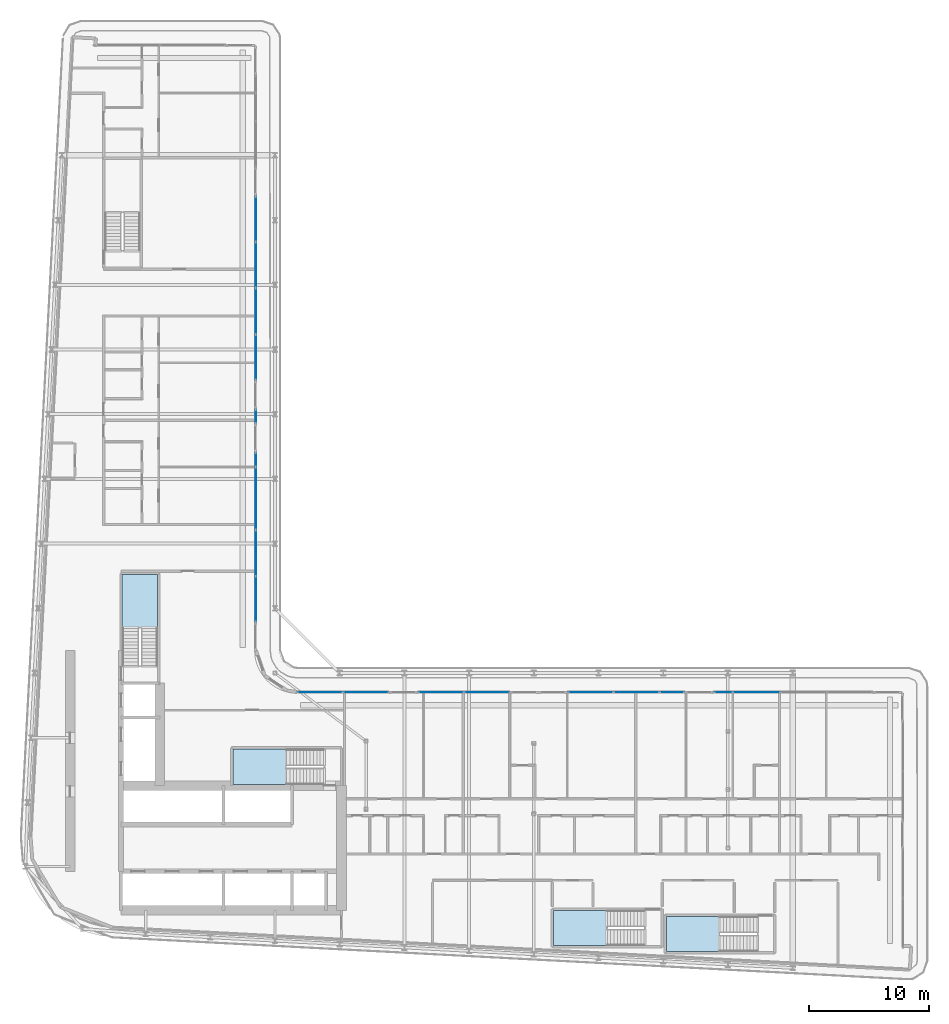
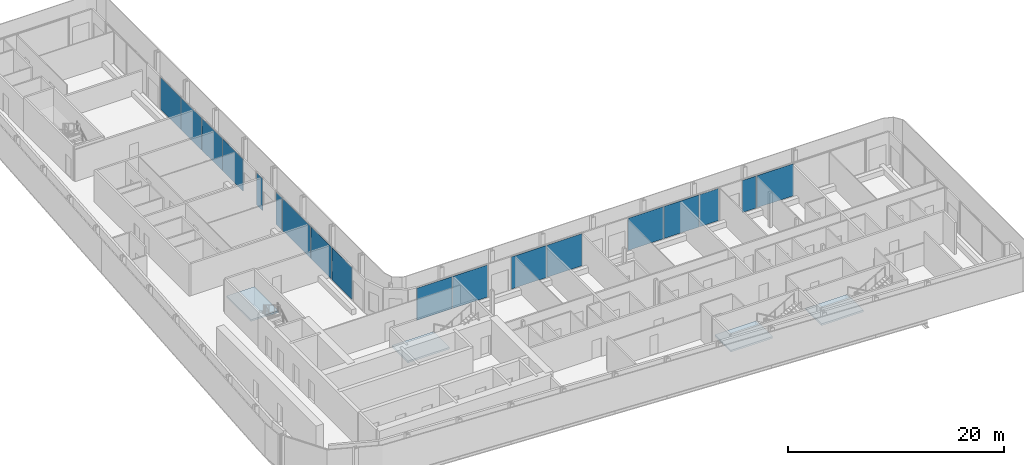
# One storey, part 12 of 29: 18 plates, 4 slabs, 14 elements without a shape of their own.
"""IFC4 building model written with IfcOpenShell, lengths in metres."""

from ifc_helpers import new_model, si_unit, direction, frame, origin, origin_2d, place, context, subcontext, project, spatial, polyline, rectangle, outline, extrude, material, layer, layer_set, type_object, element, aggregate, save


model = new_model("IFC4")

# Units and contexts
model_context = context("Model", 3, precision=1e-05, world=origin(), true_north=direction((0.0, 1.0)))
body_context = subcontext(model_context, "Body", "Model", "MODEL_VIEW")
ifc_project = project(units=[si_unit("LENGTHUNIT", "METRE"), si_unit("AREAUNIT", "SQUARE_METRE"), si_unit("VOLUMEUNIT", "CUBIC_METRE"), si_unit("PLANEANGLEUNIT", "RADIAN"), si_unit("MASSUNIT", "GRAM", prefix="KILO")], contexts=[model_context])

# Site, building, storey
site_placement = place(None, origin())
site = spatial("IfcSite", under=ifc_project, at=site_placement, CompositionType="ELEMENT")
building_placement = place(site_placement, origin())
building = spatial("IfcBuilding", under=site, at=building_placement, Name="Kheshtan School and Residences Tower", CompositionType="ELEMENT")
storey_placement = place(building_placement, frame((0.0, 0.0, 176.0)))
storey = spatial("IfcBuildingStorey", under=building, at=storey_placement, Name="L41", CompositionType="ELEMENT", Elevation=176.0)

# Curtain wall, plates
ifc_material_1 = material(Name="Clear low-e glass in thermally broken aluminium frame", Category="aluminium")
ifc_layer_1 = layer(ifc_material_1, 0.199951171875)
ifc_layer_set_1 = layer_set([ifc_layer_1], Name="Curtain wall CW-L")
curtain_wall_type = type_object("IfcCurtainWallType", Name="Curtain wall CW-L", PredefinedType="NOTDEFINED", material=ifc_layer_set_1)
curtain_wall_1_placement = place(storey_placement, origin())
curtain_wall_1 = element("IfcCurtainWall", 1, at=curtain_wall_1_placement, inside=storey, type_object=curtain_wall_type, Name="Curtain wall CWL8", PredefinedType="NOTDEFINED")
ifc_layer_2 = layer(ifc_material_1, 0.031982421875)
ifc_layer_set_2 = layer_set([ifc_layer_2], Name="CW-L glass panel")
plate_type = type_object("IfcPlateType", Name="CW-L glass panel", PredefinedType="CURTAIN_PANEL", material=ifc_layer_set_2)
plate_1_placement = place(storey_placement, frame((46.0, 83.467529296875, 0.0), z_axis=(0.0, 0.0, 1.0), x_axis=(0.0, -1.0, 0.0)))
plate_1 = element("IfcPlate", 2, at=plate_1_placement, type_object=plate_type, Name="CWL8 panel 1.1", PredefinedType="CURTAIN_PANEL", context=body_context, shape_type="SweptSolid", body=[
    extrude(rectangle(XDim=3.757080078125, YDim=0.031982421875, at=origin_2d()), origin(), (0.0, 0.0, 1.0), 3.6298828125),
])
plate_2_placement = place(storey_placement, frame((46.0, 79.650390625, 0.0), z_axis=(0.0, 0.0, 1.0), x_axis=(0.0, -1.0, 0.0)))
plate_2 = element("IfcPlate", 3, at=plate_2_placement, type_object=plate_type, Name="CWL8 panel 2.1", PredefinedType="CURTAIN_PANEL", context=body_context, shape_type="SweptSolid", body=[
    extrude(rectangle(XDim=3.757080078125, YDim=0.031982421875, at=origin_2d()), origin(), (0.0, 0.0, 1.0), 3.6298828125),
])
aggregate(curtain_wall_1, [plate_1, plate_2])

curtain_wall_2_placement = place(storey_placement, origin())
curtain_wall_2 = element("IfcCurtainWall", 4, at=curtain_wall_2_placement, inside=storey, type_object=curtain_wall_type, Name="Curtain wall CWL8", PredefinedType="NOTDEFINED")
plate_3_placement = place(storey_placement, frame((46.0, 75.803466796875, 0.0), z_axis=(0.0, 0.0, 1.0), x_axis=(0.0, -1.0, 0.0)))
plate_3 = element("IfcPlate", 5, at=plate_3_placement, type_object=plate_type, Name="CWL8 panel 1.1", PredefinedType="CURTAIN_PANEL", context=body_context, shape_type="SweptSolid", body=[
    extrude(rectangle(XDim=3.81689453125, YDim=0.031982421875, at=origin_2d()), origin(), (0.0, 0.0, 1.0), 3.6298828125),
])
plate_4_placement = place(storey_placement, frame((46.0, 71.95654296875, 0.0), z_axis=(0.0, 0.0, 1.0), x_axis=(0.0, -1.0, 0.0)))
plate_4 = element("IfcPlate", 6, at=plate_4_placement, type_object=plate_type, Name="CWL8 panel 2.1", PredefinedType="CURTAIN_PANEL", context=body_context, shape_type="SweptSolid", body=[
    extrude(rectangle(XDim=3.757080078125, YDim=0.031982421875, at=origin_2d()), origin(), (0.0, 0.0, 1.0), 3.6298828125),
])
aggregate(curtain_wall_2, [plate_3, plate_4])

# Curtain wall, plate
curtain_wall_3_placement = place(storey_placement, origin())
curtain_wall_3 = element("IfcCurtainWall", 7, at=curtain_wall_3_placement, inside=storey, type_object=curtain_wall_type, Name="Curtain wall CWL8g", PredefinedType="NOTDEFINED")
plate_5_placement = place(storey_placement, frame((46.0, 67.01806640625, 0.0), z_axis=(0.0, 0.0, 1.0), x_axis=(0.0, -1.0, 0.0)))
plate_5 = element("IfcPlate", 8, at=plate_5_placement, type_object=plate_type, Name="CWL8g panel 1.1", PredefinedType="CURTAIN_PANEL", context=body_context, shape_type="SweptSolid", body=[
    extrude(rectangle(XDim=1.080078125, YDim=0.031982421875, at=origin_2d()), origin(), (0.0, 0.0, 1.0), 3.6298828125),
])
aggregate(curtain_wall_3, [plate_5])

# Curtain wall, plates
curtain_wall_4_placement = place(storey_placement, origin())
curtain_wall_4 = element("IfcCurtainWall", 9, at=curtain_wall_4_placement, inside=storey, type_object=curtain_wall_type, Name="Curtain wall CWL8k", PredefinedType="NOTDEFINED")
plate_6_placement = place(storey_placement, frame((46.0, 63.39404296875, 0.0), z_axis=(0.0, 0.0, 1.0), x_axis=(0.0, -1.0, 0.0)))
plate_6 = element("IfcPlate", 10, at=plate_6_placement, type_object=plate_type, Name="CWL8k panel 1.1", PredefinedType="CURTAIN_PANEL", context=body_context, shape_type="SweptSolid", body=[
    extrude(rectangle(XDim=1.1279296875, YDim=0.031982421875, at=origin_2d()), origin(), (0.0, 0.0, 1.0), 3.6298828125),
])
plate_7_placement = place(storey_placement, frame((46.0, 60.177001953125, 0.0), z_axis=(0.0, 0.0, 1.0), x_axis=(0.0, -1.0, 0.0)))
plate_7 = element("IfcPlate", 11, at=plate_7_placement, type_object=plate_type, Name="CWL8k panel 2.1", PredefinedType="CURTAIN_PANEL", context=body_context, shape_type="SweptSolid", body=[
    extrude(rectangle(XDim=5.18603515625, YDim=0.031982421875, at=origin_2d()), origin(), (0.0, 0.0, 1.0), 3.6298828125),
])
aggregate(curtain_wall_4, [plate_6, plate_7])

curtain_wall_5_placement = place(storey_placement, origin())
curtain_wall_5 = element("IfcCurtainWall", 12, at=curtain_wall_5_placement, inside=storey, type_object=curtain_wall_type, Name="Curtain wall CWL8", PredefinedType="NOTDEFINED")
plate_8_placement = place(storey_placement, frame((46.0, 55.615478515625, 0.0), z_axis=(0.0, 0.0, 1.0), x_axis=(0.0, -1.0, 0.0)))
plate_8 = element("IfcPlate", 13, at=plate_8_placement, type_object=plate_type, Name="CWL8 panel 1.1", PredefinedType="CURTAIN_PANEL", context=body_context, shape_type="SweptSolid", body=[
    extrude(rectangle(XDim=3.81689453125, YDim=0.031982421875, at=origin_2d()), origin(), (0.0, 0.0, 1.0), 3.6298828125),
])
plate_9_placement = place(storey_placement, frame((46.0, 51.7685546875, 0.0), z_axis=(0.0, 0.0, 1.0), x_axis=(0.0, -1.0, 0.0)))
plate_9 = element("IfcPlate", 14, at=plate_9_placement, type_object=plate_type, Name="CWL8 panel 2.1", PredefinedType="CURTAIN_PANEL", context=body_context, shape_type="SweptSolid", body=[
    extrude(rectangle(XDim=3.757080078125, YDim=0.031982421875, at=origin_2d()), origin(), (0.0, 0.0, 1.0), 3.6298828125),
])
aggregate(curtain_wall_5, [plate_8, plate_9])

curtain_wall_6_placement = place(storey_placement, origin())
curtain_wall_6 = element("IfcCurtainWall", 15, at=curtain_wall_6_placement, inside=storey, type_object=curtain_wall_type, Name="Curtain wall CWL12j", PredefinedType="NOTDEFINED")
plate_10_placement = place(storey_placement, frame((51.368408203125, 44.0, 0.0), z_axis=(0.0, 0.0, 1.0), x_axis=(1.0, 0.0, 0.0)))
plate_10 = element("IfcPlate", 16, at=plate_10_placement, type_object=plate_type, Name="CWL12j panel 1.1", PredefinedType="CURTAIN_PANEL", context=body_context, shape_type="SweptSolid", body=[
    extrude(rectangle(XDim=3.757080078125, YDim=0.031982421875, at=origin_2d()), origin(), (0.0, 0.0, 1.0), 3.6298828125),
])
plate_11_placement = place(storey_placement, frame((55.185546875, 44.0, 0.0), z_axis=(0.0, 0.0, 1.0), x_axis=(1.0, 0.0, 0.0)))
plate_11 = element("IfcPlate", 17, at=plate_11_placement, type_object=plate_type, Name="CWL12j panel 2.1", PredefinedType="CURTAIN_PANEL", context=body_context, shape_type="SweptSolid", body=[
    extrude(rectangle(XDim=3.757080078125, YDim=0.031982421875, at=origin_2d()), origin(), (0.0, 0.0, 1.0), 3.6298828125),
])
aggregate(curtain_wall_6, [plate_10, plate_11])

curtain_wall_7_placement = place(storey_placement, origin())
curtain_wall_7 = element("IfcCurtainWall", 18, at=curtain_wall_7_placement, inside=storey, type_object=curtain_wall_type, Name="Curtain wall CWL12j", PredefinedType="NOTDEFINED")
plate_12_placement = place(storey_placement, frame((61.46240234375, 44.0, 0.0), z_axis=(0.0, 0.0, 1.0), x_axis=(1.0, 0.0, 0.0)))
plate_12 = element("IfcPlate", 19, at=plate_12_placement, type_object=plate_type, Name="CWL12j panel 1.1", PredefinedType="CURTAIN_PANEL", context=body_context, shape_type="SweptSolid", body=[
    extrude(rectangle(XDim=3.757080078125, YDim=0.031982421875, at=origin_2d()), origin(), (0.0, 0.0, 1.0), 3.6298828125),
])
plate_13_placement = place(storey_placement, frame((65.279541015625, 44.0, 0.0), z_axis=(0.0, 0.0, 1.0), x_axis=(1.0, 0.0, 0.0)))
plate_13 = element("IfcPlate", 20, at=plate_13_placement, type_object=plate_type, Name="CWL12j panel 2.1", PredefinedType="CURTAIN_PANEL", context=body_context, shape_type="SweptSolid", body=[
    extrude(rectangle(XDim=3.757080078125, YDim=0.031982421875, at=origin_2d()), origin(), (0.0, 0.0, 1.0), 3.6298828125),
])
aggregate(curtain_wall_7, [plate_12, plate_13])

curtain_wall_8_placement = place(storey_placement, origin())
curtain_wall_8 = element("IfcCurtainWall", 21, at=curtain_wall_8_placement, inside=storey, type_object=curtain_wall_type, Name="Curtain wall CWL12j", PredefinedType="NOTDEFINED")
plate_14_placement = place(storey_placement, frame((73.95654296875, 44.0, 0.0), z_axis=(0.0, 0.0, 1.0), x_axis=(1.0, 0.0, 0.0)))
plate_14 = element("IfcPlate", 22, at=plate_14_placement, type_object=plate_type, Name="CWL12j panel 1.1", PredefinedType="CURTAIN_PANEL", context=body_context, shape_type="SweptSolid", body=[
    extrude(rectangle(XDim=3.757080078125, YDim=0.031982421875, at=origin_2d()), origin(), (0.0, 0.0, 1.0), 3.6298828125),
])
plate_15_placement = place(storey_placement, frame((77.7734375, 44.0, 0.0), z_axis=(0.0, 0.0, 1.0), x_axis=(1.0, 0.0, 0.0)))
plate_15 = element("IfcPlate", 23, at=plate_15_placement, type_object=plate_type, Name="CWL12j panel 2.1", PredefinedType="CURTAIN_PANEL", context=body_context, shape_type="SweptSolid", body=[
    extrude(rectangle(XDim=3.757080078125, YDim=0.031982421875, at=origin_2d()), origin(), (0.0, 0.0, 1.0), 3.6298828125),
])
aggregate(curtain_wall_8, [plate_14, plate_15])

# Curtain wall, plate
curtain_wall_9_placement = place(storey_placement, origin())
curtain_wall_9 = element("IfcCurtainWall", 24, at=curtain_wall_9_placement, inside=storey, type_object=curtain_wall_type, Name="Curtain wall CWL12d", PredefinedType="NOTDEFINED")
plate_16_placement = place(storey_placement, frame((80.73193359375, 44.0, 0.0), z_axis=(0.0, 0.0, 1.0), x_axis=(1.0, 0.0, 0.0)))
plate_16 = element("IfcPlate", 25, at=plate_16_placement, type_object=plate_type, Name="CWL12d panel 1.1", PredefinedType="CURTAIN_PANEL", context=body_context, shape_type="SweptSolid", body=[
    extrude(rectangle(XDim=2.0400390625, YDim=0.031982421875, at=origin_2d()), origin(), (0.0, 0.0, 1.0), 3.6298828125),
])
aggregate(curtain_wall_9, [plate_16])

# Curtain wall, plates
curtain_wall_10_placement = place(storey_placement, origin())
curtain_wall_10 = element("IfcCurtainWall", 26, at=curtain_wall_10_placement, inside=storey, type_object=curtain_wall_type, Name="Curtain wall CWL12z", PredefinedType="NOTDEFINED")
plate_17_placement = place(storey_placement, frame((85.02099609375, 44.0, 0.0), z_axis=(0.0, 0.0, 1.0), x_axis=(1.0, 0.0, 0.0)))
plate_17 = element("IfcPlate", 27, at=plate_17_placement, type_object=plate_type, Name="CWL12z panel 1.1", PredefinedType="CURTAIN_PANEL", context=body_context, shape_type="SweptSolid", body=[
    extrude(rectangle(XDim=1.498046875, YDim=0.031982421875, at=origin_2d()), origin(), (0.0, 0.0, 1.0), 3.6298828125),
])
plate_18_placement = place(storey_placement, frame((87.7880859375, 44.0, 0.0), z_axis=(0.0, 0.0, 1.0), x_axis=(1.0, 0.0, 0.0)))
plate_18 = element("IfcPlate", 28, at=plate_18_placement, type_object=plate_type, Name="CWL12z panel 2.1", PredefinedType="CURTAIN_PANEL", context=body_context, shape_type="SweptSolid", body=[
    extrude(rectangle(XDim=3.916015625, YDim=0.031982421875, at=origin_2d()), origin(), (0.0, 0.0, 1.0), 3.6298828125),
])
aggregate(curtain_wall_10, [plate_17, plate_18])

# Stair, slab
ifc_material_2 = material(Name="Concrete C40/50", Category="concrete")
stair_type = type_object("IfcStairType", Name="Exit stair, half-turn", PredefinedType="HALF_TURN_STAIR", material=ifc_material_2)
stair_1_placement = place(storey_placement, origin())
stair_1 = element("IfcStair", 29, at=stair_1_placement, inside=storey, type_object=stair_type, Name="L41 Protected Exit Stair ST1", PredefinedType="HALF_TURN_STAIR")
ifc_layer_3 = layer(ifc_material_2, 0.199951171875)
ifc_layer_set_3 = layer_set([ifc_layer_3], Name="Stair landing 200 Concrete C40/50")
slab_type = type_object("IfcSlabType", Name="Stair landing 200 Concrete C40/50", PredefinedType="LANDING", material=ifc_layer_set_3)
slab_1_placement = place(storey_placement, frame((0.0, 0.0, 1.75)))
slab_1 = element("IfcSlab", 30, at=slab_1_placement, type_object=slab_type, Name="ST1 landing 1", PredefinedType="LANDING", context=body_context, shape_type="SweptSolid", body=[
    extrude(outline(polyline([(48.570068359375, 39.25), (44.090087890625, 39.25), (44.090087890625, 36.300048828125), (48.570068359375, 36.300048828125), (48.570068359375, 39.25)])), origin(), (0.0, 0.0, 1.0), 0.199951171875),
])
aggregate(stair_1, [slab_1])

stair_2_placement = place(storey_placement, origin())
stair_2 = element("IfcStair", 31, at=stair_2_placement, inside=storey, type_object=stair_type, Name="L41 Protected Exit Stair ST2", PredefinedType="HALF_TURN_STAIR")
slab_2_placement = place(storey_placement, frame((0.0, 0.0, 1.75)))
slab_2 = element("IfcSlab", 32, at=slab_2_placement, type_object=slab_type, Name="ST2 landing 1", PredefinedType="LANDING", context=body_context, shape_type="SweptSolid", body=[
    extrude(outline(polyline([(37.800048828125, 49.330078125), (37.800048828125, 53.81005859375), (34.85009765625, 53.81005859375), (34.85009765625, 49.330078125), (37.800048828125, 49.330078125)])), origin(), (0.0, 0.0, 1.0), 0.199951171875),
])
aggregate(stair_2, [slab_2])

stair_3_placement = place(storey_placement, origin())
stair_3 = element("IfcStair", 33, at=stair_3_placement, inside=storey, type_object=stair_type, Name="L41 Protected Exit Stair ST4", PredefinedType="HALF_TURN_STAIR")
slab_3_placement = place(storey_placement, frame((0.0, 0.0, 1.75)))
slab_3 = element("IfcSlab", 34, at=slab_3_placement, type_object=slab_type, Name="ST4 landing 1", PredefinedType="LANDING", context=body_context, shape_type="SweptSolid", body=[
    extrude(outline(polyline([(84.739990234375, 25.300048828125), (80.260009765625, 25.300048828125), (80.260009765625, 22.35009765625), (84.739990234375, 22.35009765625), (84.739990234375, 25.300048828125)])), origin(), (0.0, 0.0, 1.0), 0.199951171875),
])
aggregate(stair_3, [slab_3])

stair_4_placement = place(storey_placement, origin())
stair_4 = element("IfcStair", 35, at=stair_4_placement, inside=storey, type_object=stair_type, Name="L41 Protected Exit Stair ST5", PredefinedType="HALF_TURN_STAIR")
slab_4_placement = place(storey_placement, frame((0.0, 0.0, 1.75)))
slab_4 = element("IfcSlab", 36, at=slab_4_placement, type_object=slab_type, Name="ST5 landing 1", PredefinedType="LANDING", context=body_context, shape_type="SweptSolid", body=[
    extrude(outline(polyline([(75.330078125, 25.800048828125), (70.85009765625, 25.800048828125), (70.85009765625, 22.85009765625), (75.330078125, 22.85009765625), (75.330078125, 25.800048828125)])), origin(), (0.0, 0.0, 1.0), 0.199951171875),
])
aggregate(stair_4, [slab_4])

save(model, "model.ifc")
